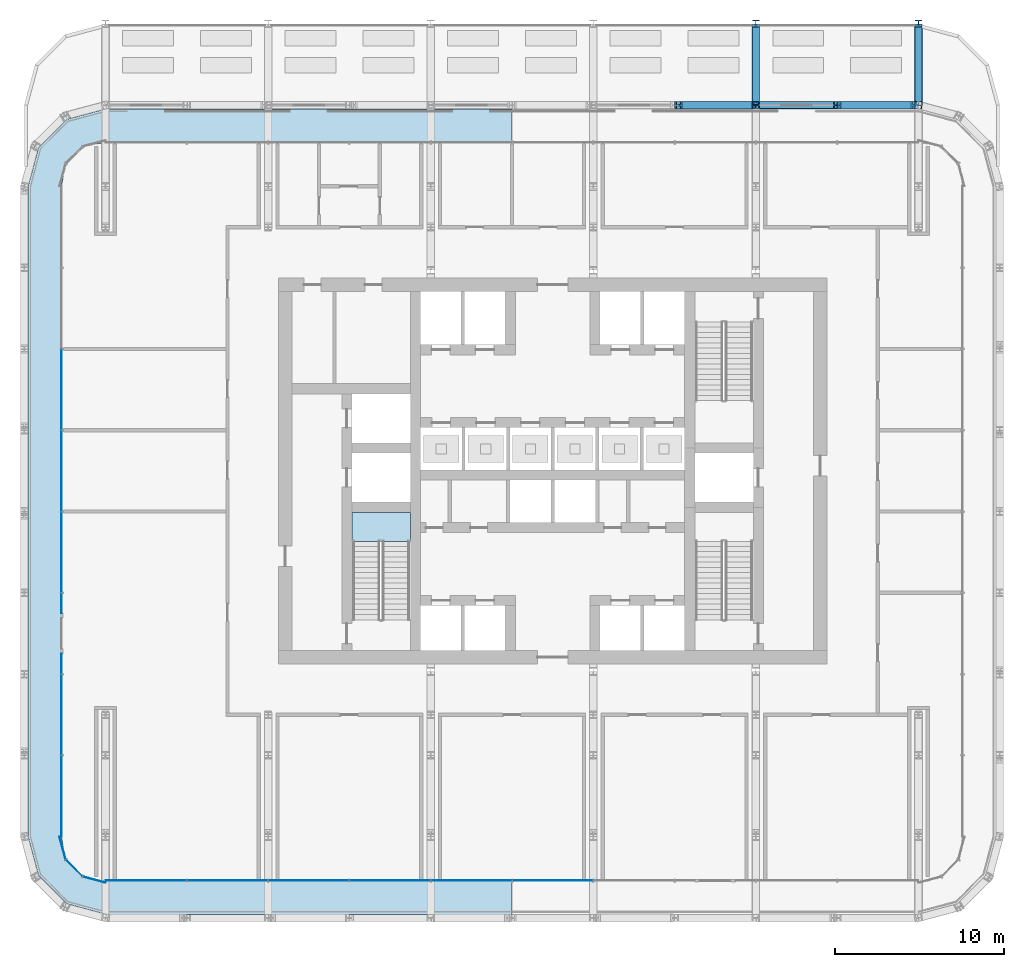
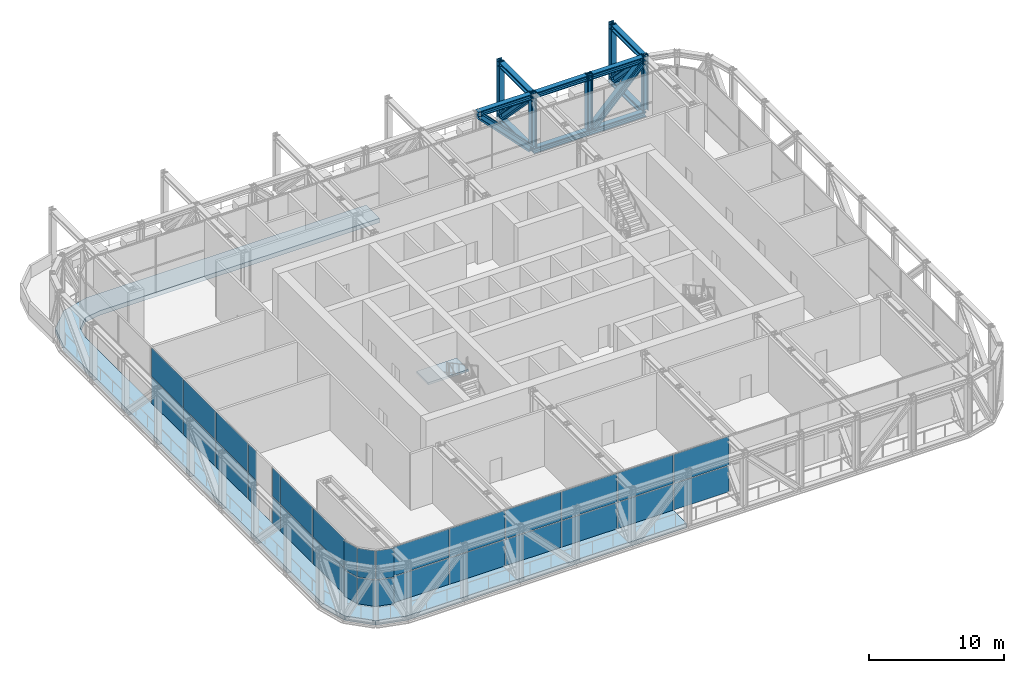
# One storey, part 13 of 27: 32 plates, 18 members, 2 slabs, 4 elements without a shape of their own.
"""IFC4 building model written with IfcOpenShell, lengths in metres."""

from ifc_helpers import new_model, si_unit, direction, frame, origin, origin_2d, place, context, subcontext, project, spatial, polyline, rectangle, i_section, outline, extrude, material, layer, layer_set, material_profile, profile_set, type_object, element, aggregate, save


model = new_model("IFC4")

# Units and contexts
model_context = context("Model", 3, precision=1e-05, world=origin(), true_north=direction((0.0, 1.0)))
body_context = subcontext(model_context, "Body", "Model", "MODEL_VIEW")
ifc_project = project(units=[si_unit("LENGTHUNIT", "METRE"), si_unit("AREAUNIT", "SQUARE_METRE"), si_unit("VOLUMEUNIT", "CUBIC_METRE"), si_unit("PLANEANGLEUNIT", "RADIAN"), si_unit("MASSUNIT", "GRAM", prefix="KILO")], contexts=[model_context])

# Site, building, storey
site_placement = place(None, origin())
site = spatial("IfcSite", under=ifc_project, at=site_placement, CompositionType="ELEMENT")
building_placement = place(site_placement, origin())
building = spatial("IfcBuilding", under=site, at=building_placement, Name="Madar Terraces", CompositionType="ELEMENT")
storey_placement = place(building_placement, frame((0.0, 0.0, 143.60009765625)))
storey = spatial("IfcBuildingStorey", under=building, at=storey_placement, Name="L37", CompositionType="ELEMENT", Elevation=143.60009765625)

# Members
ifc_material_1 = material(Name="Steel ASTM A913 Grade 65", Category="steel")
ifc_material_profile_1 = material_profile(ifc_material_1, i_section(OverallWidth=0.431884765625, OverallDepth=0.497802734375, WebThickness=0.0556640625, FlangeThickness=0.0888671875, at=origin_2d()), Name="W14x500")
ifc_profile_set_1 = profile_set([ifc_material_profile_1], Name="Steel ASTM A913 Grade 65")
member_type_1 = type_object("IfcMemberType", Name="BC5 W14x500", PredefinedType="CHORD", material=ifc_profile_set_1)
for number, where, z_axis, x_axis, name in (
    (1, (52.800048828125, 48.0, -0.171142578125), (-1.0, 0.0, 0.0), (0.0, -1.0, 0.0), "Exoskeleton truss ring bottom chord BC5"),
    (2, (48.0, 48.0, -0.171142578125), (-1.0, 0.0, 0.0), (0.0, -1.0, 0.0), "Exoskeleton truss ring bottom chord BC5"),
):
    element("IfcMember", number, at=place(storey_placement, frame(where, z_axis=z_axis, x_axis=x_axis)), inside=storey, type_object=member_type_1, Name=name, PredefinedType="CHORD", context=body_context, shape_type="SweptSolid", body=[
        extrude(i_section(OverallWidth=0.431884765625, OverallDepth=0.497802734375, WebThickness=0.0556640625, FlangeThickness=0.0888671875, at=origin_2d()), origin(), (0.0, 0.0, 1.0), 4.800048828125),
    ])
for number, where, z_axis, x_axis, name in (
    (3, (43.199951171875, 52.800048828125, -0.171142578125), (0.0, -1.0, 0.0), (1.0, 0.0, 0.0), "Exoskeleton truss cross N43.2 bottom chord BC5"),
    (4, (52.800048828125, 52.800048828125, -0.171142578125), (0.0, -1.0, 0.0), (1.0, 0.0, 0.0), "Exoskeleton truss cross N52.8 bottom chord BC5"),
):
    element("IfcMember", number, at=place(storey_placement, frame(where, z_axis=z_axis, x_axis=x_axis)), inside=storey, type_object=member_type_1, Name=name, PredefinedType="CHORD", context=body_context, shape_type="SweptSolid", body=[
        extrude(i_section(OverallWidth=0.431884765625, OverallDepth=0.497802734375, WebThickness=0.0556640625, FlangeThickness=0.0888671875, at=origin_2d()), origin(), (0.0, 0.0, 1.0), 4.584228515625),
    ])
ifc_material_2 = material(Name="Steel ASTM A913 Grade 65", Category="steel")
ifc_material_profile_2 = material_profile(ifc_material_2, i_section(OverallWidth=0.424072265625, OverallDepth=0.47509765625, WebThickness=0.0478515625, FlangeThickness=0.0771484375, at=origin_2d()), Name="W14x426")
ifc_profile_set_2 = profile_set([ifc_material_profile_2], Name="Steel ASTM A913 Grade 65")
member_type_2 = type_object("IfcMemberType", Name="TC5 W14x426", PredefinedType="CHORD", material=ifc_profile_set_2)
for number, where, z_axis, x_axis, name in (
    (5, (52.800048828125, 48.0, 4.79248046875), (-1.0, 0.0, 0.0), (0.0, -1.0, 0.0), "Exoskeleton truss ring top chord TC5"),
    (6, (48.0, 48.0, 4.79248046875), (-1.0, 0.0, 0.0), (0.0, -1.0, 0.0), "Exoskeleton truss ring top chord TC5"),
    (7, (43.199951171875, 48.0, 4.79248046875), (-1.0, 0.0, 0.0), (0.0, -1.0, 0.0), "Exoskeleton truss ring top chord TC5"),
):
    element("IfcMember", number, at=place(storey_placement, frame(where, z_axis=z_axis, x_axis=x_axis)), inside=storey, type_object=member_type_2, Name=name, PredefinedType="CHORD", context=body_context, shape_type="SweptSolid", body=[
        extrude(i_section(OverallWidth=0.424072265625, OverallDepth=0.47509765625, WebThickness=0.0478515625, FlangeThickness=0.0771484375, at=origin_2d()), origin(), (0.0, 0.0, 1.0), 4.800048828125),
    ])
for number, where, z_axis, x_axis, name in (
    (8, (43.199951171875, 52.800048828125, 4.79248046875), (0.0, -1.0, 0.0), (1.0, 0.0, 0.0), "Exoskeleton truss cross N43.2 top chord TC5"),
    (9, (52.800048828125, 52.800048828125, 4.79248046875), (0.0, -1.0, 0.0), (1.0, 0.0, 0.0), "Exoskeleton truss cross N52.8 top chord TC5"),
):
    element("IfcMember", number, at=place(storey_placement, frame(where, z_axis=z_axis, x_axis=x_axis)), inside=storey, type_object=member_type_2, Name=name, PredefinedType="CHORD", context=body_context, shape_type="SweptSolid", body=[
        extrude(i_section(OverallWidth=0.424072265625, OverallDepth=0.47509765625, WebThickness=0.0478515625, FlangeThickness=0.0771484375, at=origin_2d()), origin(), (0.0, 0.0, 1.0), 4.587890625),
    ])
ifc_material_3 = material(Name="Steel ASTM A913 Grade 65", Category="steel")
ifc_material_profile_3 = material_profile(ifc_material_3, i_section(OverallWidth=0.45458984375, OverallDepth=0.56884765625, WebThickness=0.077880859375, FlangeThickness=0.124755859375, at=origin_2d()), Name="W14x730")
ifc_profile_set_3 = profile_set([ifc_material_profile_3], Name="Steel ASTM A913 Grade 65")
member_type_3 = type_object("IfcMemberType", Name="TD5 W14x730", PredefinedType="BRACE", material=ifc_profile_set_3)
for number, where, z_axis, x_axis, name in (
    (10, (52.5703125, 48.0, 4.554931640625), (-0.695149746219, 0.0, -0.718864959733), (0.0, -1.0, 0.0), "Exoskeleton truss ring diagonal TD5"),
    (11, (42.959228515625, 48.0, 0.07763671875), (-0.695149746219, 0.0, 0.718864959733), (0.0, -1.0, 0.0), "Exoskeleton truss ring diagonal TD5"),
    (12, (43.199951171875, 52.559326171875, 0.07763671875), (0.0, -0.695149746219, 0.718864959733), (1.0, 0.0, 0.0), "Exoskeleton truss cross N43.2 diagonal TD5"),
    (13, (52.800048828125, 52.559326171875, 0.07763671875), (0.0, -0.695149746219, 0.718864959733), (1.0, 0.0, 0.0), "Exoskeleton truss cross N52.8 diagonal TD5"),
):
    element("IfcMember", number, at=place(storey_placement, frame(where, z_axis=z_axis, x_axis=x_axis)), inside=storey, type_object=member_type_3, Name=name, PredefinedType="BRACE", context=body_context, shape_type="SweptSolid", body=[
        extrude(i_section(OverallWidth=0.45458984375, OverallDepth=0.56884765625, WebThickness=0.077880859375, FlangeThickness=0.124755859375, at=origin_2d()), origin(), (0.0, 0.0, 1.0), 6.228271484375),
    ])
ifc_material_4 = material(Name="Steel ASTM A913 Grade 65", Category="steel")
ifc_material_profile_4 = material_profile(ifc_material_4, i_section(OverallWidth=0.419189453125, OverallDepth=0.45458984375, WebThickness=0.042236328125, FlangeThickness=0.067626953125, at=origin_2d()), Name="W14x370")
ifc_profile_set_4 = profile_set([ifc_material_profile_4], Name="Steel ASTM A913 Grade 65")
member_type_4 = type_object("IfcMemberType", Name="TV5 W14x370", PredefinedType="POST", material=ifc_profile_set_4)
for number, where, z_axis, x_axis, name in (
    (14, (52.800048828125, 48.0, 0.07763671875), (0.0, 0.0, 1.0), (-0.130526174916, -0.991444863652, 0.0), "Exoskeleton truss ring post TV5"),
    (15, (48.0, 48.0, 0.07763671875), (0.0, 0.0, 1.0), (0.0, -1.0, 0.0), "Exoskeleton truss ring post TV5"),
    (16, (43.199951171875, 48.0, 0.07763671875), (0.0, 0.0, 1.0), (0.0, -1.0, 0.0), "Exoskeleton truss ring post TV5"),
):
    element("IfcMember", number, at=place(storey_placement, frame(where, z_axis=z_axis, x_axis=x_axis)), inside=storey, type_object=member_type_4, Name=name, PredefinedType="POST", context=body_context, shape_type="SweptSolid", body=[
        extrude(i_section(OverallWidth=0.419189453125, OverallDepth=0.45458984375, WebThickness=0.042236328125, FlangeThickness=0.067626953125, at=origin_2d()), origin(), (0.0, 0.0, 1.0), 5.022216796875),
    ])
for number, where, z_axis, x_axis, name in (
    (17, (43.199951171875, 52.800048828125, -0.420166015625), (0.0, 0.0, 1.0), (-1.0, 0.0, 0.0), "Exoskeleton truss cross N43.2 post TV5"),
    (18, (52.800048828125, 52.800048828125, -0.420166015625), (0.0, 0.0, 1.0), (-1.0, 0.0, 0.0), "Exoskeleton truss cross N52.8 post TV5"),
):
    element("IfcMember", number, at=place(storey_placement, frame(where, z_axis=z_axis, x_axis=x_axis)), inside=storey, type_object=member_type_4, Name=name, PredefinedType="POST", context=body_context, shape_type="SweptSolid", body=[
        extrude(i_section(OverallWidth=0.419189453125, OverallDepth=0.45458984375, WebThickness=0.042236328125, FlangeThickness=0.067626953125, at=origin_2d()), origin(), (0.0, 0.0, 1.0), 5.52001953125),
    ])

# Curtain wall, plates
ifc_material_5 = material(Name="Glass, ceramic frit dark grey, with black aluminium frame", Category="aluminium")
ifc_layer_1 = layer(ifc_material_5, 0.199951171875)
ifc_layer_set_1 = layer_set([ifc_layer_1], Name="Facade curtain wall, tall glazing")
curtain_wall_type = type_object("IfcCurtainWallType", Name="Facade curtain wall, tall glazing", PredefinedType="NOTDEFINED", material=ifc_layer_set_1)
curtain_wall_1_placement = place(storey_placement, origin())
curtain_wall_1 = element("IfcCurtainWall", 19, at=curtain_wall_1_placement, inside=storey, type_object=curtain_wall_type, Name="Outer skin curtain wall south bay 1", PredefinedType="NOTDEFINED")
ifc_material_6 = material(Name="Glass, ceramic frit dark grey", Category="glass")
ifc_layer_2 = layer(ifc_material_6, 0.028076171875)
ifc_layer_set_2 = layer_set([ifc_layer_2], Name="Facade glass panel 28")
plate_type = type_object("IfcPlateType", Name="Facade glass panel 28", PredefinedType="CURTAIN_PANEL", material=ifc_layer_set_2)
plate_1_placement = place(storey_placement, frame((7.18505859375, 2.199951171875, -0.000244140625), z_axis=(0.0, 0.0, 1.0), x_axis=(1.0, 0.0, 0.0)))
plate_1 = element("IfcPlate", 20, at=plate_1_placement, type_object=plate_type, Name="Panel 1", PredefinedType="CURTAIN_PANEL", context=body_context, shape_type="SweptSolid", body=[
    extrude(rectangle(XDim=4.77001953125, YDim=0.028076171875, at=origin_2d()), origin(), (0.0, 0.0, 1.0), 2.3701171875),
])
plate_2_placement = place(storey_placement, frame((7.18505859375, 2.199951171875, 2.4296875), z_axis=(0.0, 0.0, 1.0), x_axis=(1.0, 0.0, 0.0)))
plate_2 = element("IfcPlate", 21, at=plate_2_placement, type_object=plate_type, Name="Panel 2", PredefinedType="CURTAIN_PANEL", context=body_context, shape_type="SweptSolid", body=[
    extrude(rectangle(XDim=4.77001953125, YDim=0.028076171875, at=origin_2d()), origin(), (0.0, 0.0, 1.0), 2.610107421875),
])
plate_3_placement = place(storey_placement, frame((12.0, 2.199951171875, -0.000244140625), z_axis=(0.0, 0.0, 1.0), x_axis=(1.0, 0.0, 0.0)))
plate_3 = element("IfcPlate", 22, at=plate_3_placement, type_object=plate_type, Name="Panel 3", PredefinedType="CURTAIN_PANEL", context=body_context, shape_type="SweptSolid", body=[
    extrude(rectangle(XDim=4.739990234375, YDim=0.028076171875, at=origin_2d()), origin(), (0.0, 0.0, 1.0), 2.3701171875),
])
plate_4_placement = place(storey_placement, frame((12.0, 2.199951171875, 2.4296875), z_axis=(0.0, 0.0, 1.0), x_axis=(1.0, 0.0, 0.0)))
plate_4 = element("IfcPlate", 23, at=plate_4_placement, type_object=plate_type, Name="Panel 4", PredefinedType="CURTAIN_PANEL", context=body_context, shape_type="SweptSolid", body=[
    extrude(rectangle(XDim=4.739990234375, YDim=0.028076171875, at=origin_2d()), origin(), (0.0, 0.0, 1.0), 2.610107421875),
])
plate_5_placement = place(storey_placement, frame((16.800048828125, 2.199951171875, -0.000244140625), z_axis=(0.0, 0.0, 1.0), x_axis=(1.0, 0.0, 0.0)))
plate_5 = element("IfcPlate", 24, at=plate_5_placement, type_object=plate_type, Name="Panel 5", PredefinedType="CURTAIN_PANEL", context=body_context, shape_type="SweptSolid", body=[
    extrude(rectangle(XDim=4.739990234375, YDim=0.028076171875, at=origin_2d()), origin(), (0.0, 0.0, 1.0), 2.3701171875),
])
plate_6_placement = place(storey_placement, frame((16.800048828125, 2.199951171875, 2.4296875), z_axis=(0.0, 0.0, 1.0), x_axis=(1.0, 0.0, 0.0)))
plate_6 = element("IfcPlate", 25, at=plate_6_placement, type_object=plate_type, Name="Panel 6", PredefinedType="CURTAIN_PANEL", context=body_context, shape_type="SweptSolid", body=[
    extrude(rectangle(XDim=4.739990234375, YDim=0.028076171875, at=origin_2d()), origin(), (0.0, 0.0, 1.0), 2.610107421875),
])
plate_7_placement = place(storey_placement, frame((21.60009765625, 2.199951171875, -0.000244140625), z_axis=(0.0, 0.0, 1.0), x_axis=(1.0, 0.0, 0.0)))
plate_7 = element("IfcPlate", 26, at=plate_7_placement, type_object=plate_type, Name="Panel 7", PredefinedType="CURTAIN_PANEL", context=body_context, shape_type="SweptSolid", body=[
    extrude(rectangle(XDim=4.739990234375, YDim=0.028076171875, at=origin_2d()), origin(), (0.0, 0.0, 1.0), 2.3701171875),
])
plate_8_placement = place(storey_placement, frame((21.60009765625, 2.199951171875, 2.4296875), z_axis=(0.0, 0.0, 1.0), x_axis=(1.0, 0.0, 0.0)))
plate_8 = element("IfcPlate", 27, at=plate_8_placement, type_object=plate_type, Name="Panel 8", PredefinedType="CURTAIN_PANEL", context=body_context, shape_type="SweptSolid", body=[
    extrude(rectangle(XDim=4.739990234375, YDim=0.028076171875, at=origin_2d()), origin(), (0.0, 0.0, 1.0), 2.610107421875),
])
plate_9_placement = place(storey_placement, frame((26.39990234375, 2.199951171875, -0.000244140625), z_axis=(0.0, 0.0, 1.0), x_axis=(1.0, 0.0, 0.0)))
plate_9 = element("IfcPlate", 28, at=plate_9_placement, type_object=plate_type, Name="Panel 9", PredefinedType="CURTAIN_PANEL", context=body_context, shape_type="SweptSolid", body=[
    extrude(rectangle(XDim=4.739990234375, YDim=0.028076171875, at=origin_2d()), origin(), (0.0, 0.0, 1.0), 2.3701171875),
])
plate_10_placement = place(storey_placement, frame((26.39990234375, 2.199951171875, 2.4296875), z_axis=(0.0, 0.0, 1.0), x_axis=(1.0, 0.0, 0.0)))
plate_10 = element("IfcPlate", 29, at=plate_10_placement, type_object=plate_type, Name="Panel 10", PredefinedType="CURTAIN_PANEL", context=body_context, shape_type="SweptSolid", body=[
    extrude(rectangle(XDim=4.739990234375, YDim=0.028076171875, at=origin_2d()), origin(), (0.0, 0.0, 1.0), 2.610107421875),
])
plate_11_placement = place(storey_placement, frame((31.199951171875, 2.199951171875, -0.000244140625), z_axis=(0.0, 0.0, 1.0), x_axis=(1.0, 0.0, 0.0)))
plate_11 = element("IfcPlate", 30, at=plate_11_placement, type_object=plate_type, Name="Panel 11", PredefinedType="CURTAIN_PANEL", context=body_context, shape_type="SweptSolid", body=[
    extrude(rectangle(XDim=4.739990234375, YDim=0.028076171875, at=origin_2d()), origin(), (0.0, 0.0, 1.0), 2.3701171875),
])
plate_12_placement = place(storey_placement, frame((31.199951171875, 2.199951171875, 2.4296875), z_axis=(0.0, 0.0, 1.0), x_axis=(1.0, 0.0, 0.0)))
plate_12 = element("IfcPlate", 31, at=plate_12_placement, type_object=plate_type, Name="Panel 12", PredefinedType="CURTAIN_PANEL", context=body_context, shape_type="SweptSolid", body=[
    extrude(rectangle(XDim=4.739990234375, YDim=0.028076171875, at=origin_2d()), origin(), (0.0, 0.0, 1.0), 2.610107421875),
])
aggregate(curtain_wall_1, [plate_1, plate_2, plate_3, plate_4, plate_5, plate_6, plate_7, plate_8, plate_9, plate_10, plate_11, plate_12])

curtain_wall_2_placement = place(storey_placement, origin())
curtain_wall_2 = element("IfcCurtainWall", 32, at=curtain_wall_2_placement, inside=storey, type_object=curtain_wall_type, Name="Outer skin curtain wall west bay 1", PredefinedType="NOTDEFINED")
plate_13_placement = place(storey_placement, frame((2.199951171875, 31.199951171875, -0.000244140625), z_axis=(0.0, 0.0, 1.0), x_axis=(0.0, -1.0, 0.0)))
plate_13 = element("IfcPlate", 33, at=plate_13_placement, type_object=plate_type, Name="Panel 5", PredefinedType="CURTAIN_PANEL", context=body_context, shape_type="SweptSolid", body=[
    extrude(rectangle(XDim=4.739990234375, YDim=0.028076171875, at=origin_2d()), origin(), (0.0, 0.0, 1.0), 2.3701171875),
])
plate_14_placement = place(storey_placement, frame((2.199951171875, 31.199951171875, 2.4296875), z_axis=(0.0, 0.0, 1.0), x_axis=(0.0, -1.0, 0.0)))
plate_14 = element("IfcPlate", 34, at=plate_14_placement, type_object=plate_type, Name="Panel 6", PredefinedType="CURTAIN_PANEL", context=body_context, shape_type="SweptSolid", body=[
    extrude(rectangle(XDim=4.739990234375, YDim=0.028076171875, at=origin_2d()), origin(), (0.0, 0.0, 1.0), 2.610107421875),
])
plate_15_placement = place(storey_placement, frame((2.199951171875, 26.39990234375, -0.000244140625), z_axis=(0.0, 0.0, 1.0), x_axis=(0.0, -1.0, 0.0)))
plate_15 = element("IfcPlate", 35, at=plate_15_placement, type_object=plate_type, Name="Panel 7", PredefinedType="CURTAIN_PANEL", context=body_context, shape_type="SweptSolid", body=[
    extrude(rectangle(XDim=4.739990234375, YDim=0.028076171875, at=origin_2d()), origin(), (0.0, 0.0, 1.0), 2.3701171875),
])
plate_16_placement = place(storey_placement, frame((2.199951171875, 26.39990234375, 2.4296875), z_axis=(0.0, 0.0, 1.0), x_axis=(0.0, -1.0, 0.0)))
plate_16 = element("IfcPlate", 36, at=plate_16_placement, type_object=plate_type, Name="Panel 8", PredefinedType="CURTAIN_PANEL", context=body_context, shape_type="SweptSolid", body=[
    extrude(rectangle(XDim=4.739990234375, YDim=0.028076171875, at=origin_2d()), origin(), (0.0, 0.0, 1.0), 2.610107421875),
])
plate_17_placement = place(storey_placement, frame((2.199951171875, 21.60009765625, -0.000244140625), z_axis=(0.0, 0.0, 1.0), x_axis=(0.0, -1.0, 0.0)))
plate_17 = element("IfcPlate", 37, at=plate_17_placement, type_object=plate_type, Name="Panel 9", PredefinedType="CURTAIN_PANEL", context=body_context, shape_type="SweptSolid", body=[
    extrude(rectangle(XDim=4.739990234375, YDim=0.028076171875, at=origin_2d()), origin(), (0.0, 0.0, 1.0), 2.3701171875),
])
plate_18_placement = place(storey_placement, frame((2.199951171875, 21.60009765625, 2.4296875), z_axis=(0.0, 0.0, 1.0), x_axis=(0.0, -1.0, 0.0)))
plate_18 = element("IfcPlate", 38, at=plate_18_placement, type_object=plate_type, Name="Panel 10", PredefinedType="CURTAIN_PANEL", context=body_context, shape_type="SweptSolid", body=[
    extrude(rectangle(XDim=4.739990234375, YDim=0.028076171875, at=origin_2d()), origin(), (0.0, 0.0, 1.0), 2.610107421875),
])
plate_19_placement = place(storey_placement, frame((2.199951171875, 18.5849609375, -0.000244140625), z_axis=(0.0, 0.0, 1.0), x_axis=(0.0, -1.0, 0.0)))
plate_19 = element("IfcPlate", 39, at=plate_19_placement, type_object=plate_type, Name="Panel 11", PredefinedType="CURTAIN_PANEL", context=body_context, shape_type="SweptSolid", body=[
    extrude(rectangle(XDim=1.169921875, YDim=0.028076171875, at=origin_2d()), origin(), (0.0, 0.0, 1.0), 2.3701171875),
])
plate_20_placement = place(storey_placement, frame((2.199951171875, 18.5849609375, 2.4296875), z_axis=(0.0, 0.0, 1.0), x_axis=(0.0, -1.0, 0.0)))
plate_20 = element("IfcPlate", 40, at=plate_20_placement, type_object=plate_type, Name="Panel 12", PredefinedType="CURTAIN_PANEL", context=body_context, shape_type="SweptSolid", body=[
    extrude(rectangle(XDim=1.169921875, YDim=0.028076171875, at=origin_2d()), origin(), (0.0, 0.0, 1.0), 2.610107421875),
])
plate_21_placement = place(storey_placement, frame((2.199951171875, 15.014892578125, -0.000244140625), z_axis=(0.0, 0.0, 1.0), x_axis=(0.0, -1.0, 0.0)))
plate_21 = element("IfcPlate", 41, at=plate_21_placement, type_object=plate_type, Name="Panel 13", PredefinedType="CURTAIN_PANEL", context=body_context, shape_type="SweptSolid", body=[
    extrude(rectangle(XDim=1.169921875, YDim=0.028076171875, at=origin_2d()), origin(), (0.0, 0.0, 1.0), 2.3701171875),
])
plate_22_placement = place(storey_placement, frame((2.199951171875, 15.014892578125, 2.4296875), z_axis=(0.0, 0.0, 1.0), x_axis=(0.0, -1.0, 0.0)))
plate_22 = element("IfcPlate", 42, at=plate_22_placement, type_object=plate_type, Name="Panel 14", PredefinedType="CURTAIN_PANEL", context=body_context, shape_type="SweptSolid", body=[
    extrude(rectangle(XDim=1.169921875, YDim=0.028076171875, at=origin_2d()), origin(), (0.0, 0.0, 1.0), 2.610107421875),
])
plate_23_placement = place(storey_placement, frame((2.199951171875, 12.0, -0.000244140625), z_axis=(0.0, 0.0, 1.0), x_axis=(0.0, -1.0, 0.0)))
plate_23 = element("IfcPlate", 43, at=plate_23_placement, type_object=plate_type, Name="Panel 15", PredefinedType="CURTAIN_PANEL", context=body_context, shape_type="SweptSolid", body=[
    extrude(rectangle(XDim=4.739990234375, YDim=0.028076171875, at=origin_2d()), origin(), (0.0, 0.0, 1.0), 2.3701171875),
])
plate_24_placement = place(storey_placement, frame((2.199951171875, 12.0, 2.4296875), z_axis=(0.0, 0.0, 1.0), x_axis=(0.0, -1.0, 0.0)))
plate_24 = element("IfcPlate", 44, at=plate_24_placement, type_object=plate_type, Name="Panel 16", PredefinedType="CURTAIN_PANEL", context=body_context, shape_type="SweptSolid", body=[
    extrude(rectangle(XDim=4.739990234375, YDim=0.028076171875, at=origin_2d()), origin(), (0.0, 0.0, 1.0), 2.610107421875),
])
plate_25_placement = place(storey_placement, frame((2.199951171875, 7.18505859375, -0.000244140625), z_axis=(0.0, 0.0, 1.0), x_axis=(0.0, -1.0, 0.0)))
plate_25 = element("IfcPlate", 45, at=plate_25_placement, type_object=plate_type, Name="Panel 17", PredefinedType="CURTAIN_PANEL", context=body_context, shape_type="SweptSolid", body=[
    extrude(rectangle(XDim=4.77001953125, YDim=0.028076171875, at=origin_2d()), origin(), (0.0, 0.0, 1.0), 2.3701171875),
])
plate_26_placement = place(storey_placement, frame((2.199951171875, 7.18505859375, 2.4296875), z_axis=(0.0, 0.0, 1.0), x_axis=(0.0, -1.0, 0.0)))
plate_26 = element("IfcPlate", 46, at=plate_26_placement, type_object=plate_type, Name="Panel 18", PredefinedType="CURTAIN_PANEL", context=body_context, shape_type="SweptSolid", body=[
    extrude(rectangle(XDim=4.77001953125, YDim=0.028076171875, at=origin_2d()), origin(), (0.0, 0.0, 1.0), 2.610107421875),
])
aggregate(curtain_wall_2, [plate_13, plate_14, plate_15, plate_16, plate_17, plate_18, plate_19, plate_20, plate_21, plate_22, plate_23, plate_24, plate_25, plate_26])

curtain_wall_3_placement = place(storey_placement, origin())
curtain_wall_3 = element("IfcCurtainWall", 47, at=curtain_wall_3_placement, inside=storey, type_object=curtain_wall_type, Name="Outer skin curtain wall south-west corner", PredefinedType="NOTDEFINED")
plate_27_placement = place(storey_placement, frame((2.25830078125, 4.134521484375, -0.000244140625), z_axis=(0.0, 0.0, 1.0), x_axis=(0.258819110244, -0.965925808834, 0.0)))
plate_27 = element("IfcPlate", 48, at=plate_27_placement, type_object=plate_type, Name="Panel 1", PredefinedType="CURTAIN_PANEL", context=body_context, shape_type="SweptSolid", body=[
    extrude(rectangle(XDim=1.3779296875, YDim=0.028076171875, at=origin_2d()), origin(), (0.0, 0.0, 1.0), 2.3701171875),
])
plate_28_placement = place(storey_placement, frame((2.25830078125, 4.134521484375, 2.4296875), z_axis=(0.0, 0.0, 1.0), x_axis=(0.258819110244, -0.965925808834, 0.0)))
plate_28 = element("IfcPlate", 49, at=plate_28_placement, type_object=plate_type, Name="Panel 2", PredefinedType="CURTAIN_PANEL", context=body_context, shape_type="SweptSolid", body=[
    extrude(rectangle(XDim=1.3779296875, YDim=0.028076171875, at=origin_2d()), origin(), (0.0, 0.0, 1.0), 2.610107421875),
])
plate_29_placement = place(storey_placement, frame((2.942138671875, 2.942138671875, -0.000244140625), z_axis=(0.0, 0.0, 1.0), x_axis=(0.707106781187, -0.707106781187, 0.0)))
plate_29 = element("IfcPlate", 50, at=plate_29_placement, type_object=plate_type, Name="Panel 3", PredefinedType="CURTAIN_PANEL", context=body_context, shape_type="SweptSolid", body=[
    extrude(rectangle(XDim=1.347900390625, YDim=0.028076171875, at=origin_2d()), origin(), (0.0, 0.0, 1.0), 2.3701171875),
])
plate_30_placement = place(storey_placement, frame((2.942138671875, 2.942138671875, 2.4296875), z_axis=(0.0, 0.0, 1.0), x_axis=(0.707106781187, -0.707106781187, 0.0)))
plate_30 = element("IfcPlate", 51, at=plate_30_placement, type_object=plate_type, Name="Panel 4", PredefinedType="CURTAIN_PANEL", context=body_context, shape_type="SweptSolid", body=[
    extrude(rectangle(XDim=1.347900390625, YDim=0.028076171875, at=origin_2d()), origin(), (0.0, 0.0, 1.0), 2.610107421875),
])
plate_31_placement = place(storey_placement, frame((4.134521484375, 2.25830078125, -0.000244140625), z_axis=(0.0, 0.0, 1.0), x_axis=(0.965925808834, -0.258819110244, 0.0)))
plate_31 = element("IfcPlate", 52, at=plate_31_placement, type_object=plate_type, Name="Panel 5", PredefinedType="CURTAIN_PANEL", context=body_context, shape_type="SweptSolid", body=[
    extrude(rectangle(XDim=1.3779296875, YDim=0.028076171875, at=origin_2d()), origin(), (0.0, 0.0, 1.0), 2.3701171875),
])
plate_32_placement = place(storey_placement, frame((4.134521484375, 2.25830078125, 2.4296875), z_axis=(0.0, 0.0, 1.0), x_axis=(0.965925808834, -0.258819110244, 0.0)))
plate_32 = element("IfcPlate", 53, at=plate_32_placement, type_object=plate_type, Name="Panel 6", PredefinedType="CURTAIN_PANEL", context=body_context, shape_type="SweptSolid", body=[
    extrude(rectangle(XDim=1.3779296875, YDim=0.028076171875, at=origin_2d()), origin(), (0.0, 0.0, 1.0), 2.610107421875),
])
aggregate(curtain_wall_3, [plate_27, plate_28, plate_29, plate_30, plate_31, plate_32])

# Stair, slab
ifc_material_7 = material(Name="Concrete C50/60", Category="concrete")
stair_type = type_object("IfcStairType", Name="Stair ST1 protected exit", PredefinedType="HALF_TURN_STAIR", material=ifc_material_7)
stair_placement = place(storey_placement, origin())
stair = element("IfcStair", 54, at=stair_placement, inside=storey, type_object=stair_type, Name="L37 Protected Exit Stair ST1", PredefinedType="HALF_TURN_STAIR")
ifc_material_8 = material(Name="Concrete C50/60", Category="concrete")
ifc_layer_3 = layer(ifc_material_8, 0.199951171875)
ifc_layer_set_3 = layer_set([ifc_layer_3], Name="Stair landing 200, top +2.70")
slab_type_1 = type_object("IfcSlabType", Name="Stair landing 200, top +2.70", PredefinedType="LANDING", material=ifc_layer_set_3)
slab_1_placement = place(storey_placement, frame((0.0, 0.0, 2.5)))
slab_1 = element("IfcSlab", 55, at=slab_1_placement, type_object=slab_type_1, Name="ST1 landing 1", PredefinedType="LANDING", context=body_context, shape_type="SweptSolid", body=[
    extrude(outline(polyline([(19.35009765625, 22.219970703125), (22.800048828125, 22.219970703125), (22.800048828125, 23.949951171875), (19.35009765625, 23.949951171875), (19.35009765625, 22.219970703125)])), origin(), (0.0, 0.0, 1.0), 0.199951171875),
])
aggregate(stair, [slab_1])

# Slab
ifc_material_9 = material(Name="Concrete C50/60", Category="concrete")
ifc_layer_4 = layer(ifc_material_9, 0.39990234375)
ifc_layer_set_4 = layer_set([ifc_layer_4], Name="TS1 PT terrace slab 400")
slab_type_2 = type_object("IfcSlabType", Name="TS1 PT terrace slab 400", PredefinedType="FLOOR", material=ifc_layer_set_4)
slab_2_placement = place(storey_placement, frame((0.0, 0.0, -0.400146484375)))
element("IfcSlab", 56, at=slab_2_placement, inside=storey, type_object=slab_type_2, Name="Gallery slab L37 (1)", PredefinedType="FLOOR", context=body_context, shape_type="SweptSolid", body=[
    extrude(outline(polyline([(2.51171875, 0.836669921875), (4.828369140625, 0.2158203125), (28.800048828125, 0.2158203125), (28.800048828125, 2.199951171875), (4.800048828125, 2.199951171875), (3.43994140625, 2.4443359375), (2.4443359375, 3.43994140625), (2.199951171875, 4.800048828125), (2.199951171875, 43.199951171875), (2.4443359375, 44.56005859375), (3.43994140625, 45.5556640625), (4.800048828125, 45.800048828125), (28.800048828125, 45.800048828125), (28.800048828125, 47.7841796875), (4.828369140625, 47.7841796875), (2.51171875, 47.163330078125), (0.836669921875, 45.48828125), (0.2158203125, 43.171630859375), (0.2158203125, 4.828369140625), (0.836669921875, 2.51171875), (2.51171875, 0.836669921875)])), origin(), (0.0, 0.0, 1.0), 0.400146484375),
])

save(model, "model.ifc")
